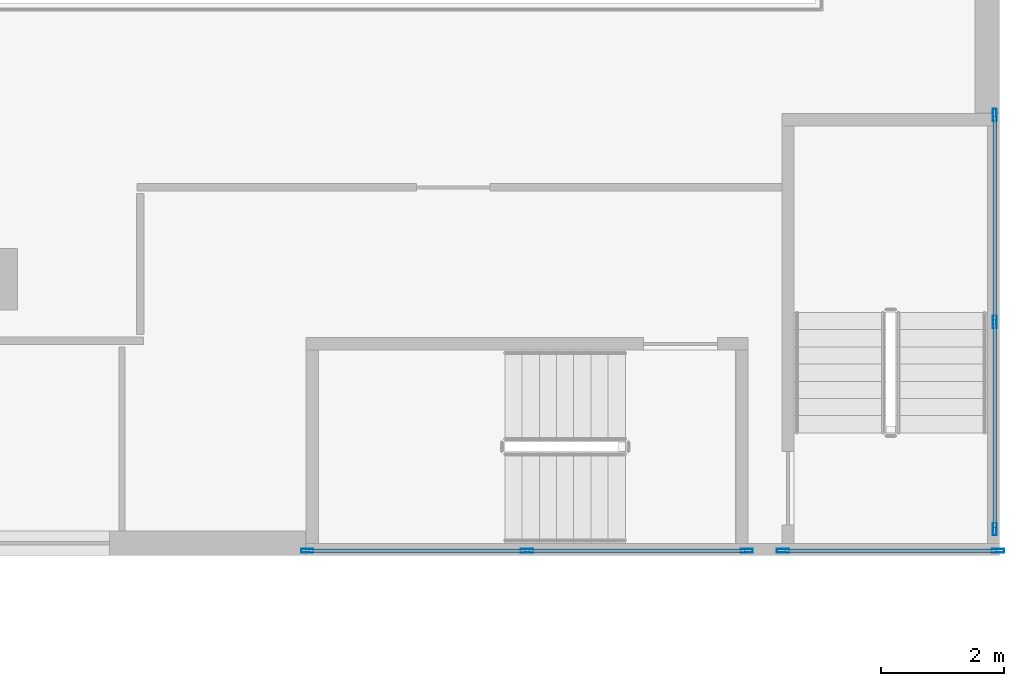
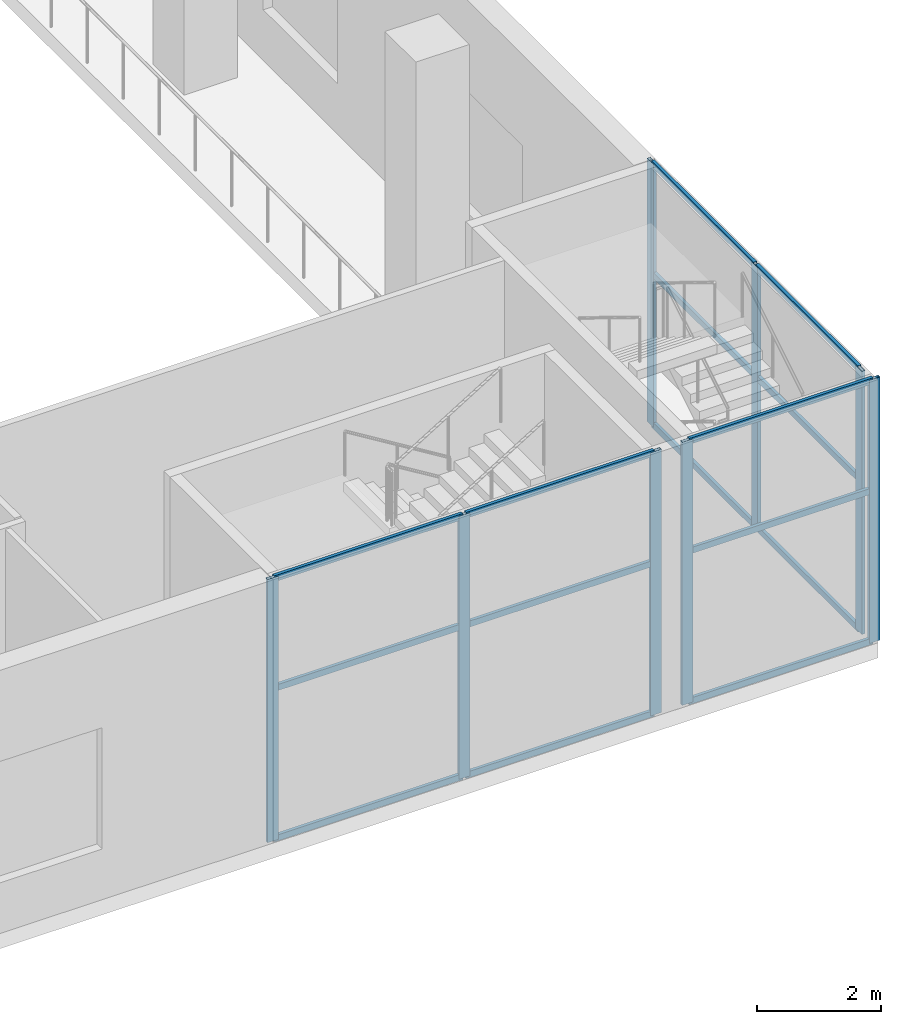
# One storey, part 6 of 23: 23 members, 3 elements without a shape of their own.
"""IFC4 building model written with IfcOpenShell, lengths in metres."""

from ifc_helpers import new_model, si_unit, direction, frame, origin, origin_2d, place, context, subcontext, project, spatial, hollow_rectangle, extrude, source, transform, mapped, material, material_profile, profile_set, type_object, element, aggregate, save


model = new_model("IFC4")

# Units and contexts
model_context = context("Model", 3, precision=1e-05, world=origin(), true_north=direction((0.0, 1.0)))
body_context = subcontext(model_context, "Body", "Model", "MODEL_VIEW")
ifc_project = project(units=[si_unit("LENGTHUNIT", "METRE"), si_unit("AREAUNIT", "SQUARE_METRE"), si_unit("VOLUMEUNIT", "CUBIC_METRE"), si_unit("PLANEANGLEUNIT", "RADIAN"), si_unit("MASSUNIT", "GRAM", prefix="KILO")], contexts=[model_context])

# Site, building, storey
site_placement = place(None, origin())
site = spatial("IfcSite", under=ifc_project, at=site_placement, CompositionType="ELEMENT")
building_placement = place(site_placement, origin())
building = spatial("IfcBuilding", under=site, at=building_placement, Name="Khomas Fold Tower", CompositionType="ELEMENT")
storey_placement = place(building_placement, frame((0.0, 0.0, 7.5)))
storey = spatial("IfcBuildingStorey", under=building, at=storey_placement, Name="L01", CompositionType="ELEMENT", Elevation=7.5)

# Curtain wall, members
ifc_material_1 = material(Name="Aluminium framed double glazing", Category="aluminium")
curtain_wall_type = type_object("IfcCurtainWallType", Name="Shopfront glazing PD-CW", PredefinedType="NOTDEFINED", material=ifc_material_1)
curtain_wall_1_placement = place(storey_placement, origin())
curtain_wall_1 = element("IfcCurtainWall", 1, at=curtain_wall_1_placement, inside=storey, type_object=curtain_wall_type, Name="Podium stair-tower glazing", PredefinedType="NOTDEFINED")
ifc_material_2 = material(Name="Aluminium", Category="aluminium")
ifc_material_profile_1 = material_profile(ifc_material_2, hollow_rectangle(XDim=0.06005859375, YDim=0.199951171875, WallThickness=0.00390625, at=origin_2d()), Name="Shopfront glazing mullion PD-CW-M")
ifc_profile_set_1 = profile_set([ifc_material_profile_1], Name="Aluminium")
member_type_1 = type_object("IfcMemberType", Name="Shopfront glazing mullion PD-CW-M", PredefinedType="MULLION", material=ifc_profile_set_1)
shared_shape_1 = source(origin(), body_context, "Body", "SweptSolid", [
    extrude(hollow_rectangle(XDim=0.06005859375, YDim=0.199951171875, WallThickness=0.00390625, at=origin_2d()), origin(), (0.0, 0.0, 1.0), 5.199951171875),
])
member_1_placement = place(storey_placement, frame((69.719970703125, 0.080078125, 0.0), z_axis=(0.0, 0.0, 1.0), x_axis=(0.0, 1.0, 0.0)))
member_1 = element("IfcMember", 2, at=member_1_placement, type_object=member_type_1, Name="PD-CW mullion 1", PredefinedType="MULLION", context=body_context, shape_type="MappedRepresentation", body=[
    mapped(shared_shape_1, transform((0.0, 0.0, 0.0))),
])
member_2_placement = place(storey_placement, frame((73.300048828125, 0.080078125, 0.0), z_axis=(0.0, 0.0, 1.0), x_axis=(0.0, 1.0, 0.0)))
member_2 = element("IfcMember", 3, at=member_2_placement, type_object=member_type_1, Name="PD-CW mullion 2", PredefinedType="MULLION", context=body_context, shape_type="MappedRepresentation", body=[
    mapped(shared_shape_1, transform((0.0, 0.0, 0.0))),
])
member_3_placement = place(storey_placement, frame((76.8798828125, 0.080078125, 0.0), z_axis=(0.0, 0.0, 1.0), x_axis=(0.0, 1.0, 0.0)))
member_3 = element("IfcMember", 4, at=member_3_placement, type_object=member_type_1, Name="PD-CW mullion 3", PredefinedType="MULLION", context=body_context, shape_type="MappedRepresentation", body=[
    mapped(shared_shape_1, transform((0.0, 0.0, 0.0))),
])

curtain_wall_2_placement = place(storey_placement, origin())
curtain_wall_2 = element("IfcCurtainWall", 5, at=curtain_wall_2_placement, inside=storey, type_object=curtain_wall_type, Name="Podium stair-tower glazing", PredefinedType="NOTDEFINED")
member_4_placement = place(storey_placement, frame((77.469970703125, 0.080078125, 0.0), z_axis=(0.0, 0.0, 1.0), x_axis=(0.0, 1.0, 0.0)))
member_4 = element("IfcMember", 6, at=member_4_placement, type_object=member_type_1, Name="PD-CW mullion 1", PredefinedType="MULLION", context=body_context, shape_type="MappedRepresentation", body=[
    mapped(shared_shape_1, transform((0.0, 0.0, 0.0))),
])
member_5_placement = place(storey_placement, frame((80.969970703125, 0.080078125, 0.0), z_axis=(0.0, 0.0, 1.0), x_axis=(0.0, 1.0, 0.0)))
member_5 = element("IfcMember", 7, at=member_5_placement, type_object=member_type_1, Name="PD-CW mullion 2", PredefinedType="MULLION", context=body_context, shape_type="MappedRepresentation", body=[
    mapped(shared_shape_1, transform((0.0, 0.0, 0.0))),
])

curtain_wall_3_placement = place(storey_placement, origin())
curtain_wall_3 = element("IfcCurtainWall", 8, at=curtain_wall_3_placement, inside=storey, type_object=curtain_wall_type, Name="Podium stair-tower glazing", PredefinedType="NOTDEFINED")
member_6_placement = place(storey_placement, frame((80.919921875, 0.429931640625, 0.0), z_axis=(0.0, 0.0, 1.0), x_axis=(-1.0, 0.0, 0.0)))
member_6 = element("IfcMember", 9, at=member_6_placement, type_object=member_type_1, Name="PD-CW mullion 1", PredefinedType="MULLION", context=body_context, shape_type="MappedRepresentation", body=[
    mapped(shared_shape_1, transform((0.0, 0.0, 0.0))),
])
member_7_placement = place(storey_placement, frame((80.919921875, 3.804931640625, 0.0), z_axis=(0.0, 0.0, 1.0), x_axis=(-1.0, 0.0, 0.0)))
member_7 = element("IfcMember", 10, at=member_7_placement, type_object=member_type_1, Name="PD-CW mullion 2", PredefinedType="MULLION", context=body_context, shape_type="MappedRepresentation", body=[
    mapped(shared_shape_1, transform((0.0, 0.0, 0.0))),
])
member_8_placement = place(storey_placement, frame((80.919921875, 7.179931640625, 0.0), z_axis=(0.0, 0.0, 1.0), x_axis=(-1.0, 0.0, 0.0)))
member_8 = element("IfcMember", 11, at=member_8_placement, type_object=member_type_1, Name="PD-CW mullion 3", PredefinedType="MULLION", context=body_context, shape_type="MappedRepresentation", body=[
    mapped(shared_shape_1, transform((0.0, 0.0, 0.0))),
])

# Member
ifc_material_3 = material(Name="Aluminium", Category="aluminium")
ifc_material_profile_2 = material_profile(ifc_material_3, hollow_rectangle(XDim=0.06005859375, YDim=0.1201171875, WallThickness=0.00390625, at=origin_2d()), Name="Shopfront glazing transom PD-CW-T")
ifc_profile_set_2 = profile_set([ifc_material_profile_2], Name="Aluminium")
member_type_2 = type_object("IfcMemberType", Name="Shopfront glazing transom PD-CW-T", PredefinedType="USERDEFINED", material=ifc_profile_set_2)
shared_shape_2 = source(origin(), body_context, "Body", "SweptSolid", [
    extrude(hollow_rectangle(XDim=0.06005859375, YDim=0.1201171875, WallThickness=0.00390625, at=origin_2d()), origin(), (0.0, 0.0, 1.0), 3.52001953125),
])
member_9_placement = place(storey_placement, frame((69.75, 0.080078125, 0.030029296875), z_axis=(1.0, 0.0, 0.0), x_axis=(0.0, 1.0, 0.0)))
member_9 = element("IfcMember", 12, at=member_9_placement, type_object=member_type_2, Name="PD-CW transom 1.1", ObjectType="TRANSOM", PredefinedType="USERDEFINED", context=body_context, shape_type="MappedRepresentation", body=[
    mapped(shared_shape_2, transform((0.0, 0.0, 0.0))),
])

member_10_placement = place(storey_placement, frame((69.75, 0.080078125, 3.0), z_axis=(1.0, 0.0, 0.0), x_axis=(0.0, 1.0, 0.0)))
member_10 = element("IfcMember", 13, at=member_10_placement, type_object=member_type_2, Name="PD-CW transom 1.2", ObjectType="TRANSOM", PredefinedType="USERDEFINED", context=body_context, shape_type="MappedRepresentation", body=[
    mapped(shared_shape_2, transform((0.0, 0.0, 0.0))),
])

member_11_placement = place(storey_placement, frame((69.75, 0.080078125, 5.169921875), z_axis=(1.0, 0.0, 0.0), x_axis=(0.0, 1.0, 0.0)))
member_11 = element("IfcMember", 14, at=member_11_placement, type_object=member_type_2, Name="PD-CW transom 1.3", ObjectType="TRANSOM", PredefinedType="USERDEFINED", context=body_context, shape_type="MappedRepresentation", body=[
    mapped(shared_shape_2, transform((0.0, 0.0, 0.0))),
])

member_12_placement = place(storey_placement, frame((73.330078125, 0.080078125, 0.030029296875), z_axis=(1.0, 0.0, 0.0), x_axis=(0.0, 1.0, 0.0)))
member_12 = element("IfcMember", 15, at=member_12_placement, type_object=member_type_2, Name="PD-CW transom 2.1", ObjectType="TRANSOM", PredefinedType="USERDEFINED", context=body_context, shape_type="MappedRepresentation", body=[
    mapped(shared_shape_2, transform((0.0, 0.0, 0.0))),
])

member_13_placement = place(storey_placement, frame((73.330078125, 0.080078125, 3.0), z_axis=(1.0, 0.0, 0.0), x_axis=(0.0, 1.0, 0.0)))
member_13 = element("IfcMember", 16, at=member_13_placement, type_object=member_type_2, Name="PD-CW transom 2.2", ObjectType="TRANSOM", PredefinedType="USERDEFINED", context=body_context, shape_type="MappedRepresentation", body=[
    mapped(shared_shape_2, transform((0.0, 0.0, 0.0))),
])

member_14_placement = place(storey_placement, frame((73.330078125, 0.080078125, 5.169921875), z_axis=(1.0, 0.0, 0.0), x_axis=(0.0, 1.0, 0.0)))
member_14 = element("IfcMember", 17, at=member_14_placement, type_object=member_type_2, Name="PD-CW transom 2.3", ObjectType="TRANSOM", PredefinedType="USERDEFINED", context=body_context, shape_type="MappedRepresentation", body=[
    mapped(shared_shape_2, transform((0.0, 0.0, 0.0))),
])

aggregate(curtain_wall_1, [member_1, member_2, member_3, member_9, member_10, member_11, member_12, member_13, member_14])

shared_shape_3 = source(origin(), body_context, "Body", "SweptSolid", [
    extrude(hollow_rectangle(XDim=0.06005859375, YDim=0.1201171875, WallThickness=0.00390625, at=origin_2d()), origin(), (0.0, 0.0, 1.0), 3.43994140625),
])
member_15_placement = place(storey_placement, frame((77.5, 0.080078125, 0.030029296875), z_axis=(1.0, 0.0, 0.0), x_axis=(0.0, 1.0, 0.0)))
member_15 = element("IfcMember", 18, at=member_15_placement, type_object=member_type_2, Name="PD-CW transom 1.1", ObjectType="TRANSOM", PredefinedType="USERDEFINED", context=body_context, shape_type="MappedRepresentation", body=[
    mapped(shared_shape_3, transform((0.0, 0.0, 0.0))),
])

member_16_placement = place(storey_placement, frame((77.5, 0.080078125, 3.0), z_axis=(1.0, 0.0, 0.0), x_axis=(0.0, 1.0, 0.0)))
member_16 = element("IfcMember", 19, at=member_16_placement, type_object=member_type_2, Name="PD-CW transom 1.2", ObjectType="TRANSOM", PredefinedType="USERDEFINED", context=body_context, shape_type="MappedRepresentation", body=[
    mapped(shared_shape_3, transform((0.0, 0.0, 0.0))),
])

member_17_placement = place(storey_placement, frame((77.5, 0.080078125, 5.169921875), z_axis=(1.0, 0.0, 0.0), x_axis=(0.0, 1.0, 0.0)))
member_17 = element("IfcMember", 20, at=member_17_placement, type_object=member_type_2, Name="PD-CW transom 1.3", ObjectType="TRANSOM", PredefinedType="USERDEFINED", context=body_context, shape_type="MappedRepresentation", body=[
    mapped(shared_shape_3, transform((0.0, 0.0, 0.0))),
])

aggregate(curtain_wall_2, [member_4, member_5, member_15, member_16, member_17])

shared_shape_4 = source(origin(), body_context, "Body", "SweptSolid", [
    extrude(hollow_rectangle(XDim=0.06005859375, YDim=0.1201171875, WallThickness=0.00390625, at=origin_2d()), origin(), (0.0, 0.0, 1.0), 3.31494140625),
])
member_18_placement = place(storey_placement, frame((80.919921875, 0.4599609375, 0.030029296875), z_axis=(0.0, 1.0, 0.0), x_axis=(-1.0, 0.0, 0.0)))
member_18 = element("IfcMember", 21, at=member_18_placement, type_object=member_type_2, Name="PD-CW transom 1.1", ObjectType="TRANSOM", PredefinedType="USERDEFINED", context=body_context, shape_type="MappedRepresentation", body=[
    mapped(shared_shape_4, transform((0.0, 0.0, 0.0))),
])

member_19_placement = place(storey_placement, frame((80.919921875, 0.4599609375, 3.0), z_axis=(0.0, 1.0, 0.0), x_axis=(-1.0, 0.0, 0.0)))
member_19 = element("IfcMember", 22, at=member_19_placement, type_object=member_type_2, Name="PD-CW transom 1.2", ObjectType="TRANSOM", PredefinedType="USERDEFINED", context=body_context, shape_type="MappedRepresentation", body=[
    mapped(shared_shape_4, transform((0.0, 0.0, 0.0))),
])

member_20_placement = place(storey_placement, frame((80.919921875, 0.4599609375, 5.169921875), z_axis=(0.0, 1.0, 0.0), x_axis=(-1.0, 0.0, 0.0)))
member_20 = element("IfcMember", 23, at=member_20_placement, type_object=member_type_2, Name="PD-CW transom 1.3", ObjectType="TRANSOM", PredefinedType="USERDEFINED", context=body_context, shape_type="MappedRepresentation", body=[
    mapped(shared_shape_4, transform((0.0, 0.0, 0.0))),
])

member_21_placement = place(storey_placement, frame((80.919921875, 3.8349609375, 0.030029296875), z_axis=(0.0, 1.0, 0.0), x_axis=(-1.0, 0.0, 0.0)))
member_21 = element("IfcMember", 24, at=member_21_placement, type_object=member_type_2, Name="PD-CW transom 2.1", ObjectType="TRANSOM", PredefinedType="USERDEFINED", context=body_context, shape_type="MappedRepresentation", body=[
    mapped(shared_shape_4, transform((0.0, 0.0, 0.0))),
])

member_22_placement = place(storey_placement, frame((80.919921875, 3.8349609375, 3.0), z_axis=(0.0, 1.0, 0.0), x_axis=(-1.0, 0.0, 0.0)))
member_22 = element("IfcMember", 25, at=member_22_placement, type_object=member_type_2, Name="PD-CW transom 2.2", ObjectType="TRANSOM", PredefinedType="USERDEFINED", context=body_context, shape_type="MappedRepresentation", body=[
    mapped(shared_shape_4, transform((0.0, 0.0, 0.0))),
])

member_23_placement = place(storey_placement, frame((80.919921875, 3.8349609375, 5.169921875), z_axis=(0.0, 1.0, 0.0), x_axis=(-1.0, 0.0, 0.0)))
member_23 = element("IfcMember", 26, at=member_23_placement, type_object=member_type_2, Name="PD-CW transom 2.3", ObjectType="TRANSOM", PredefinedType="USERDEFINED", context=body_context, shape_type="MappedRepresentation", body=[
    mapped(shared_shape_4, transform((0.0, 0.0, 0.0))),
])

aggregate(curtain_wall_3, [member_6, member_7, member_8, member_18, member_19, member_20, member_21, member_22, member_23])

save(model, "model.ifc")
